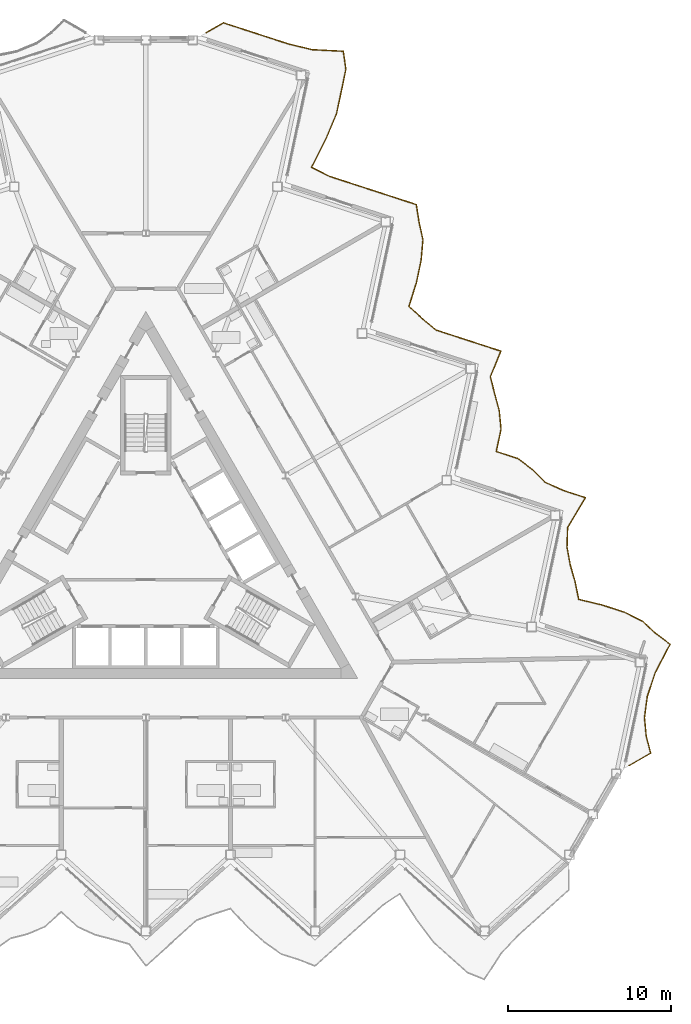
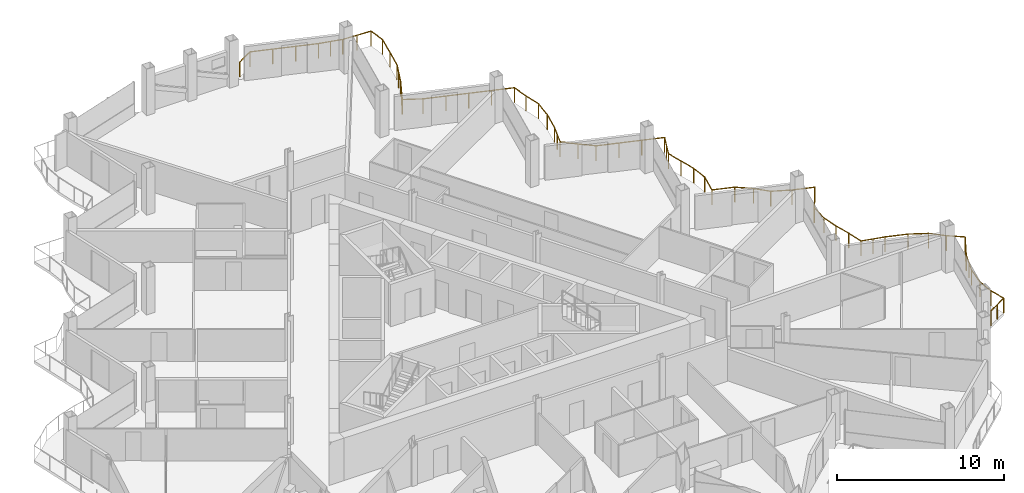
# One storey, part 25 of 27: 1 railing.
"""IFC4 building model written with IfcOpenShell, lengths in metres."""

from ifc_helpers import new_model, si_unit, direction, frame, origin, origin_2d, place, context, subcontext, project, spatial, circle, extrude, material, type_object, element, save


model = new_model("IFC4")

# Units and contexts
model_context = context("Model", 3, precision=1e-05, world=origin(), true_north=direction((0.0, 1.0)))
body_context = subcontext(model_context, "Body", "Model", "MODEL_VIEW")
ifc_project = project(units=[si_unit("LENGTHUNIT", "METRE"), si_unit("AREAUNIT", "SQUARE_METRE"), si_unit("VOLUMEUNIT", "CUBIC_METRE"), si_unit("PLANEANGLEUNIT", "RADIAN"), si_unit("MASSUNIT", "GRAM", prefix="KILO")], contexts=[model_context])

# Site, building, storey
site_placement = place(None, origin())
site = spatial("IfcSite", under=ifc_project, at=site_placement, CompositionType="ELEMENT")
building_placement = place(site_placement, origin())
building = spatial("IfcBuilding", under=site, at=building_placement, Name="Cormorant Prow Tower", CompositionType="ELEMENT")
storey_placement = place(building_placement, frame((0.0, 0.0, 312.0)))
storey = spatial("IfcBuildingStorey", under=building, at=storey_placement, Name="L68", CompositionType="ELEMENT", Elevation=312.0)

# Railing
ifc_material = material(Name="Aluminium 6063-T6", Category="aluminium")
railing_type = type_object("IfcRailingType", Name="Balcony guard 1100", PredefinedType="GUARDRAIL", material=ifc_material)
railing_placement = place(storey_placement, frame((29.66748046875, -12.852294921875, 0.0)))
element("IfcRailing", 1, at=railing_placement, inside=storey, type_object=railing_type, Name="Balcony guard ENE", PredefinedType="GUARDRAIL", context=body_context, shape_type="SweptSolid", body=[
    extrude(circle(Radius=0.02392578125, at=origin_2d()), frame((0.0, 0.0, 1.076171875), z_axis=(0.865990296034, 0.500060803479, 0.0), x_axis=(-0.500060803479, 0.865990296034, 0.0)), (0.0, 0.0, 1.0), 1.519775390625),
    extrude(circle(Radius=0.02392578125, at=origin_2d()), frame((1.316162109375, 0.760009765625, 1.076171875), z_axis=(-0.254526797847, 0.96706572123, 0.0), x_axis=(-0.96706572123, -0.254526797847, 0.0)), (0.0, 0.0, 1.0), 1.076171875),
    extrude(circle(Radius=0.02392578125, at=origin_2d()), frame((1.042236328125, 1.80078125, 1.076171875), z_axis=(-0.094930168972, 0.995483934084, 0.0), x_axis=(-0.995483934084, -0.094930168972, 0.0)), (0.0, 0.0, 1.0), 1.141845703125),
    extrude(circle(Radius=0.02392578125, at=origin_2d()), frame((0.933837890625, 2.9375, 1.076171875), z_axis=(0.133053480017, 0.991108859538, 0.0), x_axis=(-0.991108859538, 0.133053480017, 0.0)), (0.0, 0.0, 1.0), 1.31201171875),
    extrude(circle(Radius=0.02392578125, at=origin_2d()), frame((1.1083984375, 4.23779296875, 1.076171875), z_axis=(0.314680505044, 0.949197650516, 0.0), x_axis=(-0.949197650516, 0.314680505044, 0.0)), (0.0, 0.0, 1.0), 1.5625),
    extrude(circle(Radius=0.02392578125, at=origin_2d()), frame((1.60009765625, 5.720947265625, 1.076171875), z_axis=(0.46650004897, 0.884521172336, 0.0), x_axis=(-0.884521172336, 0.46650004897, 0.0)), (0.0, 0.0, 1.0), 1.948974609375),
    extrude(circle(Radius=0.02392578125, at=origin_2d()), frame((2.50927734375, 7.44482421875, 1.076171875), z_axis=(-0.801448559244, 0.598063714738, 0.0), x_axis=(-0.598063714738, -0.801448559244, 0.0)), (0.0, 0.0, 1.0), 1.130859375),
    extrude(circle(Radius=0.02392578125, at=origin_2d()), frame((1.60302734375, 8.12109375, 1.076171875), z_axis=(-0.731832125481, 0.681484952229, 0.0), x_axis=(-0.681484952229, -0.731832125481, 0.0)), (0.0, 0.0, 1.0), 1.086181640625),
    extrude(circle(Radius=0.02392578125, at=origin_2d()), frame((0.80810546875, 8.861328125, 1.076171875), z_axis=(-0.895832274755, 0.444392321611, 0.0), x_axis=(-0.444392321611, -0.895832274755, 0.0)), (0.0, 0.0, 1.0), 1.2470703125),
    extrude(circle(Radius=0.02392578125, at=origin_2d()), frame((-0.30908203125, 9.41552734375, 1.076171875), z_axis=(-0.951049473261, 0.309038669765, 0.0), x_axis=(-0.309038669765, -0.951049473261, 0.0)), (0.0, 0.0, 1.0), 1.3974609375),
    extrude(circle(Radius=0.02392578125, at=origin_2d()), frame((-1.63818359375, 9.847412109375, 1.076171875), z_axis=(-0.972192918436, 0.234181402642, 0.0), x_axis=(-0.234181402642, -0.972192918436, 0.0)), (0.0, 0.0, 1.0), 1.507568359375),
    extrude(circle(Radius=0.02392578125, at=origin_2d()), frame((-3.103759765625, 10.200439453125, 1.076171875), z_axis=(-0.199287382647, 0.979941089616, 0.0), x_axis=(-0.979941089616, -0.199287382647, 0.0)), (0.0, 0.0, 1.0), 1.09521484375),
    extrude(circle(Radius=0.02392578125, at=origin_2d()), frame((-3.322021484375, 11.273681640625, 1.076171875), z_axis=(-0.276528694567, 0.961005661316, 0.0), x_axis=(-0.961005661316, -0.276528694567, 0.0)), (0.0, 0.0, 1.0), 1.070068359375),
    extrude(circle(Radius=0.02392578125, at=origin_2d()), frame((-3.617919921875, 12.302001953125, 1.076171875), z_axis=(-0.182628921889, 0.983181914444, 0.0), x_axis=(-0.983181914444, -0.182628921889, 0.0)), (0.0, 0.0, 1.0), 1.1015625),
    extrude(circle(Radius=0.02392578125, at=origin_2d()), frame((-3.819091796875, 13.385009765625, 1.076171875), z_axis=(0.03117236859, 0.999514023632, 0.0), x_axis=(-0.999514023632, 0.03117236859, 0.0)), (0.0, 0.0, 1.0), 1.2216796875),
    extrude(circle(Radius=0.02392578125, at=origin_2d()), frame((-3.781005859375, 14.606201171875, 1.076171875), z_axis=(0.513672056479, 0.857986607351, 0.0), x_axis=(-0.857986607351, 0.513672056479, 0.0)), (0.0, 0.0, 1.0), 2.136474609375),
    extrude(circle(Radius=0.02392578125, at=origin_2d()), frame((-2.68359375, 16.439208984375, 1.076171875), z_axis=(-0.951049473261, 0.309038669765, 0.0), x_axis=(-0.309038669765, -0.951049473261, 0.0)), (0.0, 0.0, 1.0), 1.3974609375),
    extrude(circle(Radius=0.02392578125, at=origin_2d()), frame((-4.0126953125, 16.87109375, 1.076171875), z_axis=(-0.913371682703, 0.407126723804, 0.0), x_axis=(-0.407126723804, -0.913371682703, 0.0)), (0.0, 0.0, 1.0), 1.283203125),
    extrude(circle(Radius=0.02392578125, at=origin_2d()), frame((-5.184814453125, 17.3935546875, 1.076171875), z_axis=(-0.700819725336, 0.713338427802, 0.0), x_axis=(-0.713338427802, -0.700819725336, 0.0)), (0.0, 0.0, 1.0), 1.072509765625),
    extrude(circle(Radius=0.02392578125, at=origin_2d()), frame((-5.9365234375, 18.15869140625, 1.076171875), z_axis=(-0.794868640028, 0.60678154644, 0.0), x_axis=(-0.60678154644, -0.794868640028, 0.0)), (0.0, 0.0, 1.0), 1.12548828125),
    extrude(circle(Radius=0.02392578125, at=origin_2d()), frame((-6.8310546875, 18.841552734375, 1.076171875), z_axis=(-0.951049473261, 0.309038669765, 0.0), x_axis=(-0.309038669765, -0.951049473261, 0.0)), (0.0, 0.0, 1.0), 1.3974609375),
    extrude(circle(Radius=0.02392578125, at=origin_2d()), frame((-8.16015625, 19.2734375, 1.076171875), z_axis=(0.208061417088, 0.978115763455, 0.0), x_axis=(-0.978115763455, 0.208061417088, 0.0)), (0.0, 0.0, 1.0), 1.3974609375),
    extrude(circle(Radius=0.02392578125, at=origin_2d()), frame((-7.869384765625, 20.640380859375, 1.076171875), z_axis=(-0.093578968854, 0.99561186041, 0.0), x_axis=(-0.99561186041, -0.093578968854, 0.0)), (0.0, 0.0, 1.0), 1.142822265625),
    extrude(circle(Radius=0.02392578125, at=origin_2d()), frame((-7.976318359375, 21.778076171875, 1.076171875), z_axis=(-0.262809603673, 0.964847714522, 0.0), x_axis=(-0.964847714522, -0.262809603673, 0.0)), (0.0, 0.0, 1.0), 1.073974609375),
    extrude(circle(Radius=0.02392578125, at=origin_2d()), frame((-8.258544921875, 22.814208984375, 1.076171875), z_axis=(-0.244929504133, 0.969540890321, 0.0), x_axis=(-0.969540890321, -0.244929504133, 0.0)), (0.0, 0.0, 1.0), 1.07958984375),
    extrude(circle(Radius=0.02392578125, at=origin_2d()), frame((-8.52294921875, 23.86083984375, 1.076171875), z_axis=(0.380236971606, 0.924889098986, 0.0), x_axis=(-0.924889098986, 0.380236971606, 0.0)), (0.0, 0.0, 1.0), 1.7001953125),
    extrude(circle(Radius=0.02392578125, at=origin_2d()), frame((-7.87646484375, 25.433349609375, 1.076171875), z_axis=(-0.951049473261, 0.309038669765, 0.0), x_axis=(-0.309038669765, -0.951049473261, 0.0)), (0.0, 0.0, 1.0), 1.3974609375),
    extrude(circle(Radius=0.02392578125, at=origin_2d()), frame((-9.20556640625, 25.865234375, 1.076171875), z_axis=(-0.951049473261, 0.309038669765, 0.0), x_axis=(-0.309038669765, -0.951049473261, 0.0)), (0.0, 0.0, 1.0), 1.3974609375),
    extrude(circle(Radius=0.02392578125, at=origin_2d()), frame((-10.53466796875, 26.297119140625, 1.076171875), z_axis=(-0.951049473261, 0.309038669765, 0.0), x_axis=(-0.309038669765, -0.951049473261, 0.0)), (0.0, 0.0, 1.0), 1.3974609375),
    extrude(circle(Radius=0.02392578125, at=origin_2d()), frame((-11.86376953125, 26.72900390625, 1.076171875), z_axis=(-0.765752738329, 0.643135089808, 0.0), x_axis=(-0.643135089808, -0.765752738329, 0.0)), (0.0, 0.0, 1.0), 1.10498046875),
    extrude(circle(Radius=0.02392578125, at=origin_2d()), frame((-12.7099609375, 27.439697265625, 1.076171875), z_axis=(-0.74167887403, 0.670755132532, 0.0), x_axis=(-0.670755132532, -0.74167887403, 0.0)), (0.0, 0.0, 1.0), 1.09130859375),
    extrude(circle(Radius=0.02392578125, at=origin_2d()), frame((-13.519287109375, 28.171630859375, 1.076171875), z_axis=(0.298157095607, 0.954516813021, 0.0), x_axis=(-0.954516813021, 0.298157095607, 0.0)), (0.0, 0.0, 1.0), 1.532958984375),
    extrude(circle(Radius=0.02392578125, at=origin_2d()), frame((-13.062255859375, 29.634765625, 1.076171875), z_axis=(0.20789427571, 0.978151302267, 0.0), x_axis=(-0.978151302267, 0.20789427571, 0.0)), (0.0, 0.0, 1.0), 1.3974609375),
    extrude(circle(Radius=0.02392578125, at=origin_2d()), frame((-12.771728515625, 31.001708984375, 1.076171875), z_axis=(0.087045114157, 0.99620437065, 0.0), x_axis=(-0.99620437065, 0.087045114157, 0.0)), (0.0, 0.0, 1.0), 1.267822265625),
    extrude(circle(Radius=0.02392578125, at=origin_2d()), frame((-12.661376953125, 32.2646484375, 1.076171875), z_axis=(-0.214699317725, 0.976680194828, 0.0), x_axis=(-0.976680194828, -0.214699317725, 0.0)), (0.0, 0.0, 1.0), 1.08935546875),
    extrude(circle(Radius=0.02392578125, at=origin_2d()), frame((-12.895263671875, 33.32861328125, 1.076171875), z_axis=(-0.156244286063, 0.987718443218, 0.0), x_axis=(-0.987718443218, -0.156244286063, 0.0)), (0.0, 0.0, 1.0), 1.112548828125),
    extrude(circle(Radius=0.02392578125, at=origin_2d()), frame((-13.069091796875, 34.427490234375, 1.076171875), z_axis=(-0.951066153506, 0.308987332516, 0.0), x_axis=(-0.308987332516, -0.951066153506, 0.0)), (0.0, 0.0, 1.0), 1.397705078125),
    extrude(circle(Radius=0.02392578125, at=origin_2d()), frame((-14.3984375, 34.859375, 1.076171875), z_axis=(-0.951049473261, 0.309038669765, 0.0), x_axis=(-0.309038669765, -0.951049473261, 0.0)), (0.0, 0.0, 1.0), 1.3974609375),
    extrude(circle(Radius=0.02392578125, at=origin_2d()), frame((-15.7275390625, 35.291259765625, 1.076171875), z_axis=(-0.951049473261, 0.309038669765, 0.0), x_axis=(-0.309038669765, -0.951049473261, 0.0)), (0.0, 0.0, 1.0), 1.3974609375),
    extrude(circle(Radius=0.02392578125, at=origin_2d()), frame((-17.056640625, 35.72314453125, 1.076171875), z_axis=(-0.951049473261, 0.309038669765, 0.0), x_axis=(-0.309038669765, -0.951049473261, 0.0)), (0.0, 0.0, 1.0), 1.3974609375),
    extrude(circle(Radius=0.02392578125, at=origin_2d()), frame((-18.3857421875, 36.155029296875, 1.076171875), z_axis=(-0.893797979222, 0.44846981207, 0.0), x_axis=(-0.44846981207, -0.893797979222, 0.0)), (0.0, 0.0, 1.0), 1.243408203125),
    extrude(circle(Radius=0.02392578125, at=origin_2d()), frame((-19.4970703125, 36.712646484375, 1.076171875), z_axis=(0.452646834829, 0.891689880463, 0.0), x_axis=(-0.891689880463, 0.452646834829, 0.0)), (0.0, 0.0, 1.0), 1.90234375),
    extrude(circle(Radius=0.02392578125, at=origin_2d()), frame((-18.635986328125, 38.408935546875, 1.076171875), z_axis=(0.389639990837, 0.920967251069, 0.0), x_axis=(-0.920967251069, 0.389639990837, 0.0)), (0.0, 0.0, 1.0), 1.72314453125),
    extrude(circle(Radius=0.02392578125, at=origin_2d()), frame((-17.964599609375, 39.995849609375, 1.076171875), z_axis=(0.20789427571, 0.978151302267, 0.0), x_axis=(-0.978151302267, 0.20789427571, 0.0)), (0.0, 0.0, 1.0), 1.3974609375),
    extrude(circle(Radius=0.02392578125, at=origin_2d()), frame((-17.674072265625, 41.36279296875, 1.076171875), z_axis=(0.203632055685, 0.979047489092, 0.0), x_axis=(-0.979047489092, 0.203632055685, 0.0)), (0.0, 0.0, 1.0), 1.391845703125),
    extrude(circle(Radius=0.02392578125, at=origin_2d()), frame((-17.390625, 42.7255859375, 1.076171875), z_axis=(-0.137425923861, 0.9905120471, 0.0), x_axis=(-0.9905120471, -0.137425923861, 0.0)), (0.0, 0.0, 1.0), 1.12109375),
    extrude(circle(Radius=0.02392578125, at=origin_2d()), frame((-17.544677734375, 43.8359375, 1.076171875), z_axis=(-0.998693020382, 0.051110185281, 0.0), x_axis=(-0.051110185281, -0.998693020382, 0.0)), (0.0, 0.0, 1.0), 1.91064453125),
    extrude(circle(Radius=0.02392578125, at=origin_2d()), frame((-19.452880859375, 43.93359375, 1.076171875), z_axis=(-0.972401986651, 0.233311757862, 0.0), x_axis=(-0.233311757862, -0.972401986651, 0.0)), (0.0, 0.0, 1.0), 1.509033203125),
    extrude(circle(Radius=0.02392578125, at=origin_2d()), frame((-20.920166015625, 44.28564453125, 1.076171875), z_axis=(-0.951100808232, 0.308880644554, 0.0), x_axis=(-0.308880644554, -0.951100808232, 0.0)), (0.0, 0.0, 1.0), 1.3974609375),
    extrude(circle(Radius=0.02392578125, at=origin_2d()), frame((-22.249267578125, 44.71728515625, 1.076171875), z_axis=(-0.951014813985, 0.309145311433, 0.0), x_axis=(-0.309145311433, -0.951014813985, 0.0)), (0.0, 0.0, 1.0), 1.397705078125),
    extrude(circle(Radius=0.02392578125, at=origin_2d()), frame((-23.57861328125, 45.1494140625, 1.076171875), z_axis=(-0.951049473261, 0.309038669765, 0.0), x_axis=(-0.309038669765, -0.951049473261, 0.0)), (0.0, 0.0, 1.0), 1.3974609375),
    extrude(circle(Radius=0.02392578125, at=origin_2d()), frame((-24.90771484375, 45.581298828125, 1.076171875), z_axis=(-0.865955602162, -0.500120880472, 0.0), x_axis=(0.500120880472, -0.865955602162, 0.0)), (0.0, 0.0, 1.0), 1.219970703125),
    extrude(circle(Radius=0.02099609375, at=origin_2d()), origin(), (0.0, 0.0, 1.0), 1.052001953125),
    extrude(circle(Radius=0.02099609375, at=origin_2d()), frame((0.658203125, 0.3798828125, 0.0)), (0.0, 0.0, 1.0), 1.052001953125),
    extrude(circle(Radius=0.02099609375, at=origin_2d()), frame((1.316162109375, 0.760009765625, 0.0)), (0.0, 0.0, 1.0), 1.052001953125),
    extrude(circle(Radius=0.02099609375, at=origin_2d()), frame((1.042236328125, 1.80078125, 0.0)), (0.0, 0.0, 1.0), 1.052001953125),
    extrude(circle(Radius=0.02099609375, at=origin_2d()), frame((0.933837890625, 2.9375, 0.0)), (0.0, 0.0, 1.0), 1.052001953125),
    extrude(circle(Radius=0.02099609375, at=origin_2d()), frame((1.1083984375, 4.23779296875, 0.0)), (0.0, 0.0, 1.0), 1.052001953125),
    extrude(circle(Radius=0.02099609375, at=origin_2d()), frame((1.354248046875, 4.9794921875, 0.0)), (0.0, 0.0, 1.0), 1.052001953125),
    extrude(circle(Radius=0.02099609375, at=origin_2d()), frame((1.60009765625, 5.720947265625, 0.0)), (0.0, 0.0, 1.0), 1.052001953125),
    extrude(circle(Radius=0.02099609375, at=origin_2d()), frame((2.0546875, 6.5830078125, 0.0)), (0.0, 0.0, 1.0), 1.052001953125),
    extrude(circle(Radius=0.02099609375, at=origin_2d()), frame((2.50927734375, 7.44482421875, 0.0)), (0.0, 0.0, 1.0), 1.052001953125),
    extrude(circle(Radius=0.02099609375, at=origin_2d()), frame((1.60302734375, 8.12109375, 0.0)), (0.0, 0.0, 1.0), 1.052001953125),
    extrude(circle(Radius=0.02099609375, at=origin_2d()), frame((0.80810546875, 8.861328125, 0.0)), (0.0, 0.0, 1.0), 1.052001953125),
    extrude(circle(Radius=0.02099609375, at=origin_2d()), frame((-0.30908203125, 9.41552734375, 0.0)), (0.0, 0.0, 1.0), 1.052001953125),
    extrude(circle(Radius=0.02099609375, at=origin_2d()), frame((-1.63818359375, 9.847412109375, 0.0)), (0.0, 0.0, 1.0), 1.052001953125),
    extrude(circle(Radius=0.02099609375, at=origin_2d()), frame((-2.37109375, 10.02392578125, 0.0)), (0.0, 0.0, 1.0), 1.052001953125),
    extrude(circle(Radius=0.02099609375, at=origin_2d()), frame((-3.103759765625, 10.200439453125, 0.0)), (0.0, 0.0, 1.0), 1.052001953125),
    extrude(circle(Radius=0.02099609375, at=origin_2d()), frame((-3.322021484375, 11.273681640625, 0.0)), (0.0, 0.0, 1.0), 1.052001953125),
    extrude(circle(Radius=0.02099609375, at=origin_2d()), frame((-3.617919921875, 12.302001953125, 0.0)), (0.0, 0.0, 1.0), 1.052001953125),
    extrude(circle(Radius=0.02099609375, at=origin_2d()), frame((-3.819091796875, 13.385009765625, 0.0)), (0.0, 0.0, 1.0), 1.052001953125),
    extrude(circle(Radius=0.02099609375, at=origin_2d()), frame((-3.781005859375, 14.606201171875, 0.0)), (0.0, 0.0, 1.0), 1.052001953125),
    extrude(circle(Radius=0.02099609375, at=origin_2d()), frame((-3.232421875, 15.522705078125, 0.0)), (0.0, 0.0, 1.0), 1.052001953125),
    extrude(circle(Radius=0.02099609375, at=origin_2d()), frame((-2.68359375, 16.439208984375, 0.0)), (0.0, 0.0, 1.0), 1.052001953125),
    extrude(circle(Radius=0.02099609375, at=origin_2d()), frame((-4.0126953125, 16.87109375, 0.0)), (0.0, 0.0, 1.0), 1.052001953125),
    extrude(circle(Radius=0.02099609375, at=origin_2d()), frame((-5.184814453125, 17.3935546875, 0.0)), (0.0, 0.0, 1.0), 1.052001953125),
    extrude(circle(Radius=0.02099609375, at=origin_2d()), frame((-5.9365234375, 18.15869140625, 0.0)), (0.0, 0.0, 1.0), 1.052001953125),
    extrude(circle(Radius=0.02099609375, at=origin_2d()), frame((-6.8310546875, 18.841552734375, 0.0)), (0.0, 0.0, 1.0), 1.052001953125),
    extrude(circle(Radius=0.02099609375, at=origin_2d()), frame((-8.16015625, 19.2734375, 0.0)), (0.0, 0.0, 1.0), 1.052001953125),
    extrude(circle(Radius=0.02099609375, at=origin_2d()), frame((-7.869384765625, 20.640380859375, 0.0)), (0.0, 0.0, 1.0), 1.052001953125),
    extrude(circle(Radius=0.02099609375, at=origin_2d()), frame((-7.976318359375, 21.778076171875, 0.0)), (0.0, 0.0, 1.0), 1.052001953125),
    extrude(circle(Radius=0.02099609375, at=origin_2d()), frame((-8.258544921875, 22.814208984375, 0.0)), (0.0, 0.0, 1.0), 1.052001953125),
    extrude(circle(Radius=0.02099609375, at=origin_2d()), frame((-8.52294921875, 23.86083984375, 0.0)), (0.0, 0.0, 1.0), 1.052001953125),
    extrude(circle(Radius=0.02099609375, at=origin_2d()), frame((-8.19970703125, 24.64697265625, 0.0)), (0.0, 0.0, 1.0), 1.052001953125),
    extrude(circle(Radius=0.02099609375, at=origin_2d()), frame((-7.87646484375, 25.433349609375, 0.0)), (0.0, 0.0, 1.0), 1.052001953125),
    extrude(circle(Radius=0.02099609375, at=origin_2d()), frame((-9.20556640625, 25.865234375, 0.0)), (0.0, 0.0, 1.0), 1.052001953125),
    extrude(circle(Radius=0.02099609375, at=origin_2d()), frame((-10.53466796875, 26.297119140625, 0.0)), (0.0, 0.0, 1.0), 1.052001953125),
    extrude(circle(Radius=0.02099609375, at=origin_2d()), frame((-11.86376953125, 26.72900390625, 0.0)), (0.0, 0.0, 1.0), 1.052001953125),
    extrude(circle(Radius=0.02099609375, at=origin_2d()), frame((-12.7099609375, 27.439697265625, 0.0)), (0.0, 0.0, 1.0), 1.052001953125),
    extrude(circle(Radius=0.02099609375, at=origin_2d()), frame((-13.519287109375, 28.171630859375, 0.0)), (0.0, 0.0, 1.0), 1.052001953125),
    extrude(circle(Radius=0.02099609375, at=origin_2d()), frame((-13.290771484375, 28.9033203125, 0.0)), (0.0, 0.0, 1.0), 1.052001953125),
    extrude(circle(Radius=0.02099609375, at=origin_2d()), frame((-13.062255859375, 29.634765625, 0.0)), (0.0, 0.0, 1.0), 1.052001953125),
    extrude(circle(Radius=0.02099609375, at=origin_2d()), frame((-12.771728515625, 31.001708984375, 0.0)), (0.0, 0.0, 1.0), 1.052001953125),
    extrude(circle(Radius=0.02099609375, at=origin_2d()), frame((-12.661376953125, 32.2646484375, 0.0)), (0.0, 0.0, 1.0), 1.052001953125),
    extrude(circle(Radius=0.02099609375, at=origin_2d()), frame((-12.895263671875, 33.32861328125, 0.0)), (0.0, 0.0, 1.0), 1.052001953125),
    extrude(circle(Radius=0.02099609375, at=origin_2d()), frame((-13.069091796875, 34.427490234375, 0.0)), (0.0, 0.0, 1.0), 1.052001953125),
    extrude(circle(Radius=0.02099609375, at=origin_2d()), frame((-14.3984375, 34.859375, 0.0)), (0.0, 0.0, 1.0), 1.052001953125),
    extrude(circle(Radius=0.02099609375, at=origin_2d()), frame((-15.7275390625, 35.291259765625, 0.0)), (0.0, 0.0, 1.0), 1.052001953125),
    extrude(circle(Radius=0.02099609375, at=origin_2d()), frame((-17.056640625, 35.72314453125, 0.0)), (0.0, 0.0, 1.0), 1.052001953125),
    extrude(circle(Radius=0.02099609375, at=origin_2d()), frame((-18.3857421875, 36.155029296875, 0.0)), (0.0, 0.0, 1.0), 1.052001953125),
    extrude(circle(Radius=0.02099609375, at=origin_2d()), frame((-19.4970703125, 36.712646484375, 0.0)), (0.0, 0.0, 1.0), 1.052001953125),
    extrude(circle(Radius=0.02099609375, at=origin_2d()), frame((-19.06640625, 37.560791015625, 0.0)), (0.0, 0.0, 1.0), 1.052001953125),
    extrude(circle(Radius=0.02099609375, at=origin_2d()), frame((-18.635986328125, 38.408935546875, 0.0)), (0.0, 0.0, 1.0), 1.052001953125),
    extrude(circle(Radius=0.02099609375, at=origin_2d()), frame((-18.30029296875, 39.202392578125, 0.0)), (0.0, 0.0, 1.0), 1.052001953125),
    extrude(circle(Radius=0.02099609375, at=origin_2d()), frame((-17.964599609375, 39.995849609375, 0.0)), (0.0, 0.0, 1.0), 1.052001953125),
    extrude(circle(Radius=0.02099609375, at=origin_2d()), frame((-17.674072265625, 41.36279296875, 0.0)), (0.0, 0.0, 1.0), 1.052001953125),
    extrude(circle(Radius=0.02099609375, at=origin_2d()), frame((-17.390625, 42.7255859375, 0.0)), (0.0, 0.0, 1.0), 1.052001953125),
    extrude(circle(Radius=0.02099609375, at=origin_2d()), frame((-17.544677734375, 43.8359375, 0.0)), (0.0, 0.0, 1.0), 1.052001953125),
    extrude(circle(Radius=0.02099609375, at=origin_2d()), frame((-18.498779296875, 43.884765625, 0.0)), (0.0, 0.0, 1.0), 1.052001953125),
    extrude(circle(Radius=0.02099609375, at=origin_2d()), frame((-19.452880859375, 43.93359375, 0.0)), (0.0, 0.0, 1.0), 1.052001953125),
    extrude(circle(Radius=0.02099609375, at=origin_2d()), frame((-20.1865234375, 44.109619140625, 0.0)), (0.0, 0.0, 1.0), 1.052001953125),
    extrude(circle(Radius=0.02099609375, at=origin_2d()), frame((-20.920166015625, 44.28564453125, 0.0)), (0.0, 0.0, 1.0), 1.052001953125),
    extrude(circle(Radius=0.02099609375, at=origin_2d()), frame((-22.249267578125, 44.71728515625, 0.0)), (0.0, 0.0, 1.0), 1.052001953125),
    extrude(circle(Radius=0.02099609375, at=origin_2d()), frame((-23.57861328125, 45.1494140625, 0.0)), (0.0, 0.0, 1.0), 1.052001953125),
    extrude(circle(Radius=0.02099609375, at=origin_2d()), frame((-24.90771484375, 45.581298828125, 0.0)), (0.0, 0.0, 1.0), 1.052001953125),
    extrude(circle(Radius=0.02099609375, at=origin_2d()), frame((-25.964111328125, 44.97119140625, 0.0)), (0.0, 0.0, 1.0), 1.052001953125),
])

save(model, "model.ifc")
